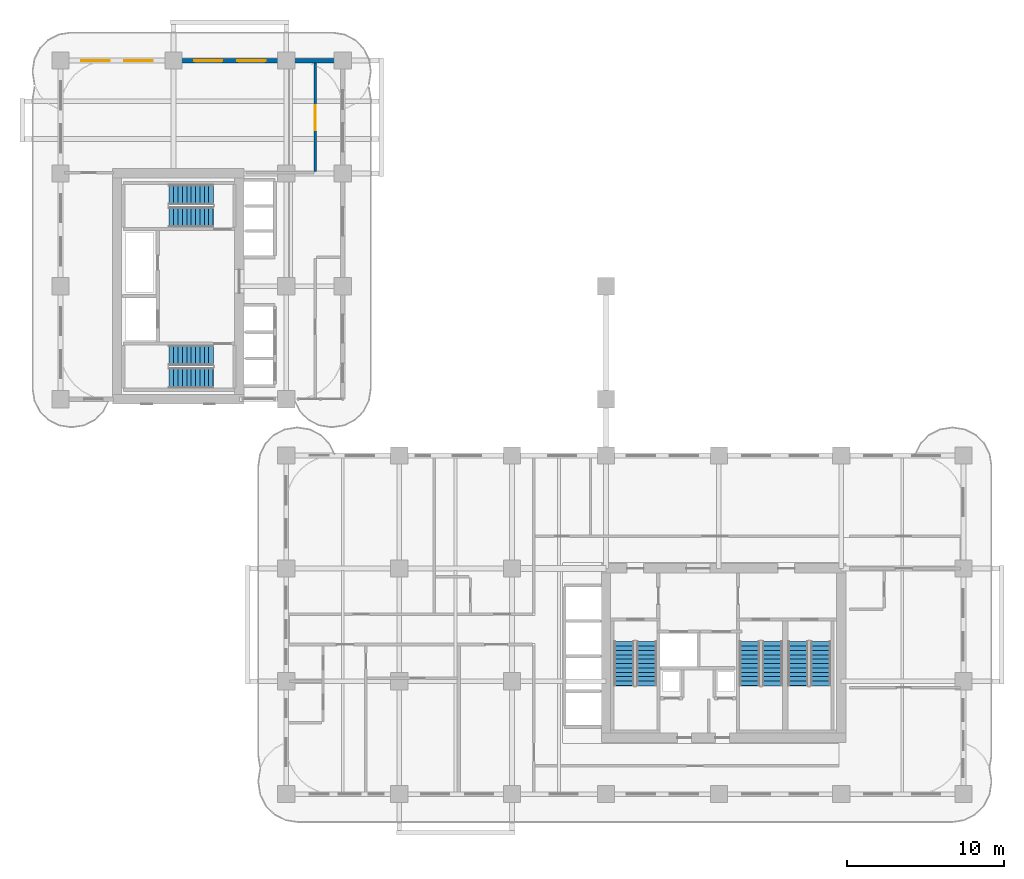
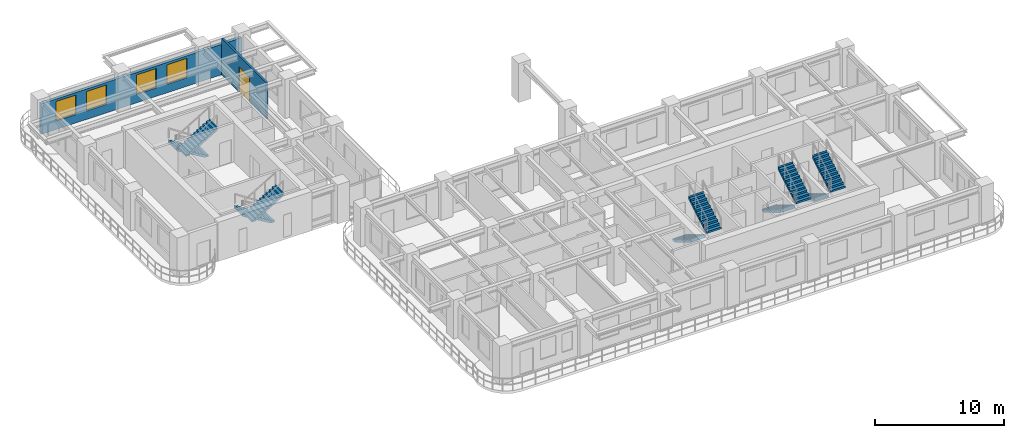
# One storey, part 11 of 18: 10 stair flights, 4 windows, 2 walls, 1 door, 5 openings, 5 elements without a shape of their own.
"""IFC4 building model written with IfcOpenShell, lengths in metres."""

from ifc_helpers import new_model, si_unit, derived_unit, direction, frame, frame_2d, origin, place, context, subcontext, project, spatial, polyline, rectangle, outline, extrude, source, transform, mapped, material, layer, layer_set, type_object, type_shapes, element, fill, aggregate, save


model = new_model("IFC4")

# Units and contexts
model_context = context("Model", 3, precision=1e-05, world=origin(), true_north=direction((0.0, 1.0)))
body_context = subcontext(model_context, "Body", "Model", "MODEL_VIEW")
ifc_project = project(units=[si_unit("LENGTHUNIT", "METRE"), si_unit("AREAUNIT", "SQUARE_METRE"), si_unit("VOLUMEUNIT", "CUBIC_METRE"), si_unit("PLANEANGLEUNIT", "RADIAN"), si_unit("MASSUNIT", "GRAM", prefix="KILO"), si_unit("THERMODYNAMICTEMPERATUREUNIT", "KELVIN"), si_unit("POWERUNIT", "WATT"), derived_unit("THERMALTRANSMITTANCEUNIT", [(si_unit("POWERUNIT", "WATT"), 1), (si_unit("AREAUNIT", "SQUARE_METRE"), -1), (si_unit("THERMODYNAMICTEMPERATUREUNIT", "KELVIN"), -1)])], contexts=[model_context])

# Site, building, storey
site_placement = place(None, origin())
site = spatial("IfcSite", under=ifc_project, at=site_placement, CompositionType="ELEMENT")
building_placement = place(site_placement, origin())
building = spatial("IfcBuilding", under=site, at=building_placement, Name="Zahravan Archway Hotel and Residences", CompositionType="ELEMENT")
storey_placement = place(building_placement, frame((0.0, 0.0, 58.300048828125)))
storey = spatial("IfcBuildingStorey", under=building, at=storey_placement, Name="L13", CompositionType="ELEMENT", Elevation=58.300048828125)

# Wall, openings, windows
ifc_material_1 = material(Name="Honed Red-Ochre Sandstone & Insulated Block", Category="masonry")
ifc_layer_1 = layer(ifc_material_1, 0.280029296875, Name="Honed Red-Ochre Sandstone & Insulated Block", Category="masonry")
ifc_layer_set_1 = layer_set([ifc_layer_1], Name="Honed Red-Ochre Sandstone & Insulated Block")
wall_type_1 = type_object("IfcWallType", Name="EW-LOG-280", PredefinedType="SOLIDWALL", material=ifc_layer_set_1)
wall_1_placement = place(storey_placement, frame((0.0, 46.800048828125, 0.0), z_axis=(0.0, 0.0, 1.0), x_axis=(1.0, 0.0, 0.0)))
wall_1 = element("IfcWall", 1, at=wall_1_placement, inside=storey, type_object=wall_type_1, Name="L13 Exterior Sandstone Wall WB-N", PredefinedType="SOLIDWALL", context=body_context, shape_type="SweptSolid", body=[
    extrude(rectangle(XDim=18.0, YDim=0.280029296875, at=frame_2d((9.0, 0.0))), origin(), (0.0, 0.0, 1.0), 2.885009765625),
])
opening_1_placement = place(wall_1_placement, frame((1.324951171875, 0.0, 0.800048828125)))
opening_1 = element("IfcOpeningElement", 2, at=opening_1_placement, cuts=wall_1, Name="Opening W-02", PredefinedType="OPENING", context=body_context, shape_type="SweptSolid", body=[
    extrude(rectangle(XDim=1.800048828125, YDim=1.85009765625, at=frame_2d((0.89990234375, 0.925048828125))), frame((0.0, 0.14990234375, 0.0), z_axis=(0.0, -1.0, 0.0), x_axis=(1.0, 0.0, 0.0)), (0.0, 0.0, 1.0), 0.300048828125),
])
opening_2_placement = place(wall_1_placement, frame((4.074951171875, 0.0, 0.800048828125)))
opening_2 = element("IfcOpeningElement", 3, at=opening_2_placement, cuts=wall_1, Name="Opening W-02", PredefinedType="OPENING", context=body_context, shape_type="SweptSolid", body=[
    extrude(rectangle(XDim=1.800048828125, YDim=1.85009765625, at=frame_2d((0.89990234375, 0.925048828125))), frame((0.0, 0.14990234375, 0.0), z_axis=(0.0, -1.0, 0.0), x_axis=(1.0, 0.0, 0.0)), (0.0, 0.0, 1.0), 0.300048828125),
])
opening_3_placement = place(wall_1_placement, frame((8.52490234375, 0.0, 0.800048828125)))
opening_3 = element("IfcOpeningElement", 4, at=opening_3_placement, cuts=wall_1, Name="Opening W-02", PredefinedType="OPENING", context=body_context, shape_type="SweptSolid", body=[
    extrude(rectangle(XDim=1.800048828125, YDim=1.85009765625, at=frame_2d((0.89990234375, 0.925048828125))), frame((0.0, 0.14990234375, 0.0), z_axis=(0.0, -1.0, 0.0), x_axis=(1.0, 0.0, 0.0)), (0.0, 0.0, 1.0), 0.300048828125),
])
opening_4_placement = place(wall_1_placement, frame((11.27490234375, 0.0, 0.800048828125)))
opening_4 = element("IfcOpeningElement", 5, at=opening_4_placement, cuts=wall_1, Name="Opening W-02", PredefinedType="OPENING", context=body_context, shape_type="SweptSolid", body=[
    extrude(rectangle(XDim=1.800048828125, YDim=1.85009765625, at=frame_2d((0.89990234375, 0.925048828125))), frame((0.0, 0.14990234375, 0.0), z_axis=(0.0, -1.0, 0.0), x_axis=(1.0, 0.0, 0.0)), (0.0, 0.0, 1.0), 0.300048828125),
])
ifc_material_2 = material(Name="Bronze-Anodized Thermal-Break Aluminium & Low-E Glass", Category="aluminium")
window_type = type_object("IfcWindowType", Name="WIN-TWR-1800", PartitioningType="DOUBLE_PANEL_VERTICAL", PredefinedType="WINDOW", material=ifc_material_2)
shared_shape_1 = source(origin(), body_context, "Body", "SweptSolid", [
    extrude(rectangle(XDim=1.800048828125, YDim=1.85009765625, at=frame_2d((0.89990234375, 0.925048828125))), frame((0.0, 0.030029296875, 0.0), z_axis=(0.0, -1.0, 0.0), x_axis=(1.0, 0.0, 0.0)), (0.0, 0.0, 1.0), 0.06005859375),
])
type_shapes(window_type, [shared_shape_1])
window_1_placement = place(opening_1_placement, origin())
window_1 = element("IfcWindow", 6, at=window_1_placement, inside=storey, type_object=window_type, Name="L13 Loggia Window 37", OverallHeight=1.85009765625, OverallWidth=1.800048828125, PartitioningType="DOUBLE_PANEL_VERTICAL", PredefinedType="WINDOW", context=body_context, shape_type="MappedRepresentation", body=[
    mapped(shared_shape_1, transform((0.0, 0.0, 0.0), scale=1.0)),
])
fill(opening_1, window_1)
window_2_placement = place(opening_2_placement, origin())
window_2 = element("IfcWindow", 7, at=window_2_placement, inside=storey, type_object=window_type, Name="L13 Loggia Window 38", OverallHeight=1.85009765625, OverallWidth=1.800048828125, PartitioningType="DOUBLE_PANEL_VERTICAL", PredefinedType="WINDOW", context=body_context, shape_type="MappedRepresentation", body=[
    mapped(shared_shape_1, transform((0.0, 0.0, 0.0), scale=1.0)),
])
fill(opening_2, window_2)
window_3_placement = place(opening_3_placement, origin())
window_3 = element("IfcWindow", 8, at=window_3_placement, inside=storey, type_object=window_type, Name="L13 Loggia Window 39", OverallHeight=1.85009765625, OverallWidth=1.800048828125, PartitioningType="DOUBLE_PANEL_VERTICAL", PredefinedType="WINDOW", context=body_context, shape_type="MappedRepresentation", body=[
    mapped(shared_shape_1, transform((0.0, 0.0, 0.0), scale=1.0)),
])
fill(opening_3, window_3)
window_4_placement = place(opening_4_placement, origin())
window_4 = element("IfcWindow", 9, at=window_4_placement, inside=storey, type_object=window_type, Name="L13 Loggia Window 40", OverallHeight=1.85009765625, OverallWidth=1.800048828125, PartitioningType="DOUBLE_PANEL_VERTICAL", PredefinedType="WINDOW", context=body_context, shape_type="MappedRepresentation", body=[
    mapped(shared_shape_1, transform((0.0, 0.0, 0.0), scale=1.0)),
])
fill(opening_4, window_4)

# Wall, opening, door
ifc_material_3 = material(Name="Fire-Rated Gypsum & Concrete Block", Category="concrete")
ifc_layer_2 = layer(ifc_material_3, 0.159912109375, Name="Fire-Rated Gypsum & Concrete Block", Category="concrete")
ifc_layer_set_2 = layer_set([ifc_layer_2], Name="Fire-Rated Gypsum & Concrete Block")
wall_type_2 = type_object("IfcWallType", Name="PW-CORR-160", PredefinedType="PARTITIONING", material=ifc_layer_set_2)
wall_2_placement = place(storey_placement, frame((16.25, 39.739990234375, 0.0), z_axis=(0.0, 0.0, 1.0), x_axis=(0.0, 1.0, 0.0)))
wall_2 = element("IfcWall", 10, at=wall_2_placement, inside=storey, type_object=wall_type_2, Name="L13 Partition WB-CN", PredefinedType="PARTITIONING", context=body_context, shape_type="SweptSolid", body=[
    extrude(rectangle(XDim=6.912109375, YDim=0.159912109375, at=frame_2d((3.4560546875, 0.0))), origin(), (0.0, 0.0, 1.0), 3.449951171875),
])
opening_5_placement = place(wall_2_placement, frame((2.610107421875, 0.0, 0.0)))
opening_5 = element("IfcOpeningElement", 11, at=opening_5_placement, cuts=wall_2, Name="Opening D-P2", PredefinedType="OPENING", context=body_context, shape_type="SweptSolid", body=[
    extrude(rectangle(XDim=1.60009765625, YDim=2.39990234375, at=frame_2d((0.800048828125, 1.199951171875))), frame((0.0, 0.08984375, 0.0), z_axis=(0.0, -1.0, 0.0), x_axis=(1.0, 0.0, 0.0)), (0.0, 0.0, 1.0), 0.179931640625),
])
ifc_material_4 = material(Name="Bronze-Anodized Glazed Aluminium", Category="aluminium")
door_type = type_object("IfcDoorType", Name="ID-PUBLIC-1600", OperationType="DOUBLE_DOOR_SINGLE_SWING", PredefinedType="DOOR", material=ifc_material_4)
shared_shape_2 = source(origin(), body_context, "Body", "SweptSolid", [
    extrude(rectangle(XDim=1.60009765625, YDim=2.39990234375, at=frame_2d((0.800048828125, 1.199951171875))), frame((0.0, 0.02490234375, 0.0), z_axis=(0.0, -1.0, 0.0), x_axis=(1.0, 0.0, 0.0)), (0.0, 0.0, 1.0), 0.050048828125),
])
type_shapes(door_type, [shared_shape_2])
door_placement = place(opening_5_placement, origin())
door = element("IfcDoor", 12, at=door_placement, inside=storey, type_object=door_type, Name="L13 Wing B Conference Hall Door", OperationType="DOUBLE_DOOR_SINGLE_SWING", OverallHeight=2.39990234375, OverallWidth=1.60009765625, PredefinedType="DOOR", context=body_context, shape_type="MappedRepresentation", body=[
    mapped(shared_shape_2, transform((0.0, 0.0, 0.0), scale=1.0)),
])
fill(opening_5, door)

# Stair, stair flights
ifc_material_5 = material(Name="Concrete C50/60", Category="concrete")
stair_type = type_object("IfcStairType", Name="STR-CORE-1300", PredefinedType="HALF_TURN_STAIR", material=ifc_material_5)
stair_1_placement = place(storey_placement, origin())
stair_1 = element("IfcStair", 13, at=stair_1_placement, inside=storey, type_object=stair_type, Name="L13 Core A Exit Stair 1", PredefinedType="HALF_TURN_STAIR")
ifc_layer_3 = layer(ifc_material_5, 0.199951171875, Name="Concrete C50/60", Category="concrete")
ifc_layer_set_3 = layer_set([ifc_layer_3], Name="Concrete C50/60")
stair_flight_type = type_object("IfcStairFlightType", Name="SFL-CORE-1300", PredefinedType="STRAIGHT", material=ifc_layer_set_3)
shared_shape_3 = source(origin(), body_context, "Body", "SweptSolid", [
    extrude(outline(polyline([(-0.01611328125, 0.0), (-0.01611328125, 0.168212890625), (0.280029296875, 0.168212890625), (0.280029296875, 0.33642578125), (0.56005859375, 0.33642578125), (0.56005859375, 0.504638671875), (0.840087890625, 0.504638671875), (0.840087890625, 0.672607421875), (1.1201171875, 0.672607421875), (1.1201171875, 0.8408203125), (1.39990234375, 0.8408203125), (1.39990234375, 1.009033203125), (1.679931640625, 1.009033203125), (1.679931640625, 1.17724609375), (1.9599609375, 1.17724609375), (1.9599609375, 1.345458984375), (2.239990234375, 1.345458984375), (2.239990234375, 1.513671875), (2.52001953125, 1.513671875), (2.52001953125, 1.681884765625), (2.800048828125, 1.681884765625), (2.800048828125, 1.85009765625), (2.816162109375, 1.85009765625), (2.816162109375, 1.5068359375), (0.291015625, 0.0), (-0.01611328125, 0.0)])), frame((0.0, 0.64990234375, 0.0), z_axis=(0.0, -1.0, 0.0), x_axis=(1.0, 0.0, 0.0)), (0.0, 0.0, 1.0), 1.300048828125),
])
stair_flight_1_placement = place(storey_placement, frame((35.949951171875, 9.72998046875, 0.0), z_axis=(0.0, 0.0, 1.0), x_axis=(0.0, -1.0, 0.0)))
stair_flight_1 = element("IfcStairFlight", 14, at=stair_flight_1_placement, type_object=stair_flight_type, Name="ST-A1 flight 1", NumberOfRisers=11, NumberOfTreads=10, PredefinedType="STRAIGHT", RiserHeight=0.168181818, TreadLength=0.28, context=body_context, shape_type="MappedRepresentation", body=[
    mapped(shared_shape_3, transform((0.0, 0.0, 0.0), scale=1.0)),
])
stair_flight_2_placement = place(storey_placement, frame((37.389892578125, 6.929931640625, 1.849853515625), z_axis=(0.0, 0.0, 1.0), x_axis=(0.0, 1.0, 0.0)))
stair_flight_2 = element("IfcStairFlight", 15, at=stair_flight_2_placement, type_object=stair_flight_type, Name="ST-A1 flight 2", NumberOfRisers=11, NumberOfTreads=10, PredefinedType="STRAIGHT", RiserHeight=0.168181818, TreadLength=0.28, context=body_context, shape_type="MappedRepresentation", body=[
    mapped(shared_shape_3, transform((0.0, 0.0, 0.0), scale=1.0)),
])
aggregate(stair_1, [stair_flight_1, stair_flight_2])

stair_2_placement = place(storey_placement, origin())
stair_2 = element("IfcStair", 16, at=stair_2_placement, inside=storey, type_object=stair_type, Name="L13 Core A Exit Stair 2", PredefinedType="HALF_TURN_STAIR")
stair_flight_3_placement = place(storey_placement, frame((43.969970703125, 9.72998046875, 0.0), z_axis=(0.0, 0.0, 1.0), x_axis=(0.0, -1.0, 0.0)))
stair_flight_3 = element("IfcStairFlight", 17, at=stair_flight_3_placement, type_object=stair_flight_type, Name="ST-A2 flight 1", NumberOfRisers=11, NumberOfTreads=10, PredefinedType="STRAIGHT", RiserHeight=0.168181818, TreadLength=0.28, context=body_context, shape_type="MappedRepresentation", body=[
    mapped(shared_shape_3, transform((0.0, 0.0, 0.0), scale=1.0)),
])
stair_flight_4_placement = place(storey_placement, frame((45.409912109375, 6.929931640625, 1.849853515625), z_axis=(0.0, 0.0, 1.0), x_axis=(0.0, 1.0, 0.0)))
stair_flight_4 = element("IfcStairFlight", 18, at=stair_flight_4_placement, type_object=stair_flight_type, Name="ST-A2 flight 2", NumberOfRisers=11, NumberOfTreads=10, PredefinedType="STRAIGHT", RiserHeight=0.168181818, TreadLength=0.28, context=body_context, shape_type="MappedRepresentation", body=[
    mapped(shared_shape_3, transform((0.0, 0.0, 0.0), scale=1.0)),
])
aggregate(stair_2, [stair_flight_3, stair_flight_4])

stair_3_placement = place(storey_placement, origin())
stair_3 = element("IfcStair", 19, at=stair_3_placement, inside=storey, type_object=stair_type, Name="L13 Core A Exit Stair 3", PredefinedType="HALF_TURN_STAIR")
stair_flight_5_placement = place(storey_placement, frame((47.050048828125, 9.72998046875, 0.0), z_axis=(0.0, 0.0, 1.0), x_axis=(0.0, -1.0, 0.0)))
stair_flight_5 = element("IfcStairFlight", 20, at=stair_flight_5_placement, type_object=stair_flight_type, Name="ST-A3 flight 1", NumberOfRisers=11, NumberOfTreads=10, PredefinedType="STRAIGHT", RiserHeight=0.168181818, TreadLength=0.28, context=body_context, shape_type="MappedRepresentation", body=[
    mapped(shared_shape_3, transform((0.0, 0.0, 0.0), scale=1.0)),
])
stair_flight_6_placement = place(storey_placement, frame((48.489990234375, 6.929931640625, 1.849853515625), z_axis=(0.0, 0.0, 1.0), x_axis=(0.0, 1.0, 0.0)))
stair_flight_6 = element("IfcStairFlight", 21, at=stair_flight_6_placement, type_object=stair_flight_type, Name="ST-A3 flight 2", NumberOfRisers=11, NumberOfTreads=10, PredefinedType="STRAIGHT", RiserHeight=0.168181818, TreadLength=0.28, context=body_context, shape_type="MappedRepresentation", body=[
    mapped(shared_shape_3, transform((0.0, 0.0, 0.0), scale=1.0)),
])
aggregate(stair_3, [stair_flight_5, stair_flight_6])

stair_4_placement = place(storey_placement, origin())
stair_4 = element("IfcStair", 22, at=stair_4_placement, inside=storey, type_object=stair_type, Name="L13 Core B Exit Stair 1", PredefinedType="HALF_TURN_STAIR")
stair_flight_7_placement = place(storey_placement, frame((9.72998046875, 27.989990234375, 0.0), z_axis=(0.0, 0.0, 1.0), x_axis=(-1.0, 0.0, 0.0)))
stair_flight_7 = element("IfcStairFlight", 23, at=stair_flight_7_placement, type_object=stair_flight_type, Name="ST-B1 flight 1", NumberOfRisers=11, NumberOfTreads=10, PredefinedType="STRAIGHT", RiserHeight=0.168181818, TreadLength=0.28, context=body_context, shape_type="MappedRepresentation", body=[
    mapped(shared_shape_3, transform((0.0, 0.0, 0.0), scale=1.0)),
])
stair_flight_8_placement = place(storey_placement, frame((6.929931640625, 26.550048828125, 1.849853515625), z_axis=(0.0, 0.0, 1.0), x_axis=(1.0, 0.0, 0.0)))
stair_flight_8 = element("IfcStairFlight", 24, at=stair_flight_8_placement, type_object=stair_flight_type, Name="ST-B1 flight 2", NumberOfRisers=11, NumberOfTreads=10, PredefinedType="STRAIGHT", RiserHeight=0.168181818, TreadLength=0.28, context=body_context, shape_type="MappedRepresentation", body=[
    mapped(shared_shape_3, transform((0.0, 0.0, 0.0), scale=1.0)),
])
aggregate(stair_4, [stair_flight_7, stair_flight_8])

stair_5_placement = place(storey_placement, origin())
stair_5 = element("IfcStair", 25, at=stair_5_placement, inside=storey, type_object=stair_type, Name="L13 Core B Exit Stair 2", PredefinedType="HALF_TURN_STAIR")
stair_flight_9_placement = place(storey_placement, frame((9.72998046875, 38.25, 0.0), z_axis=(0.0, 0.0, 1.0), x_axis=(-1.0, 0.0, 0.0)))
stair_flight_9 = element("IfcStairFlight", 26, at=stair_flight_9_placement, type_object=stair_flight_type, Name="ST-B2 flight 1", NumberOfRisers=11, NumberOfTreads=10, PredefinedType="STRAIGHT", RiserHeight=0.168181818, TreadLength=0.28, context=body_context, shape_type="MappedRepresentation", body=[
    mapped(shared_shape_3, transform((0.0, 0.0, 0.0), scale=1.0)),
])
stair_flight_10_placement = place(storey_placement, frame((6.929931640625, 36.81005859375, 1.849853515625), z_axis=(0.0, 0.0, 1.0), x_axis=(1.0, 0.0, 0.0)))
stair_flight_10 = element("IfcStairFlight", 27, at=stair_flight_10_placement, type_object=stair_flight_type, Name="ST-B2 flight 2", NumberOfRisers=11, NumberOfTreads=10, PredefinedType="STRAIGHT", RiserHeight=0.168181818, TreadLength=0.28, context=body_context, shape_type="MappedRepresentation", body=[
    mapped(shared_shape_3, transform((0.0, 0.0, 0.0), scale=1.0)),
])
aggregate(stair_5, [stair_flight_9, stair_flight_10])

save(model, "model.ifc")
